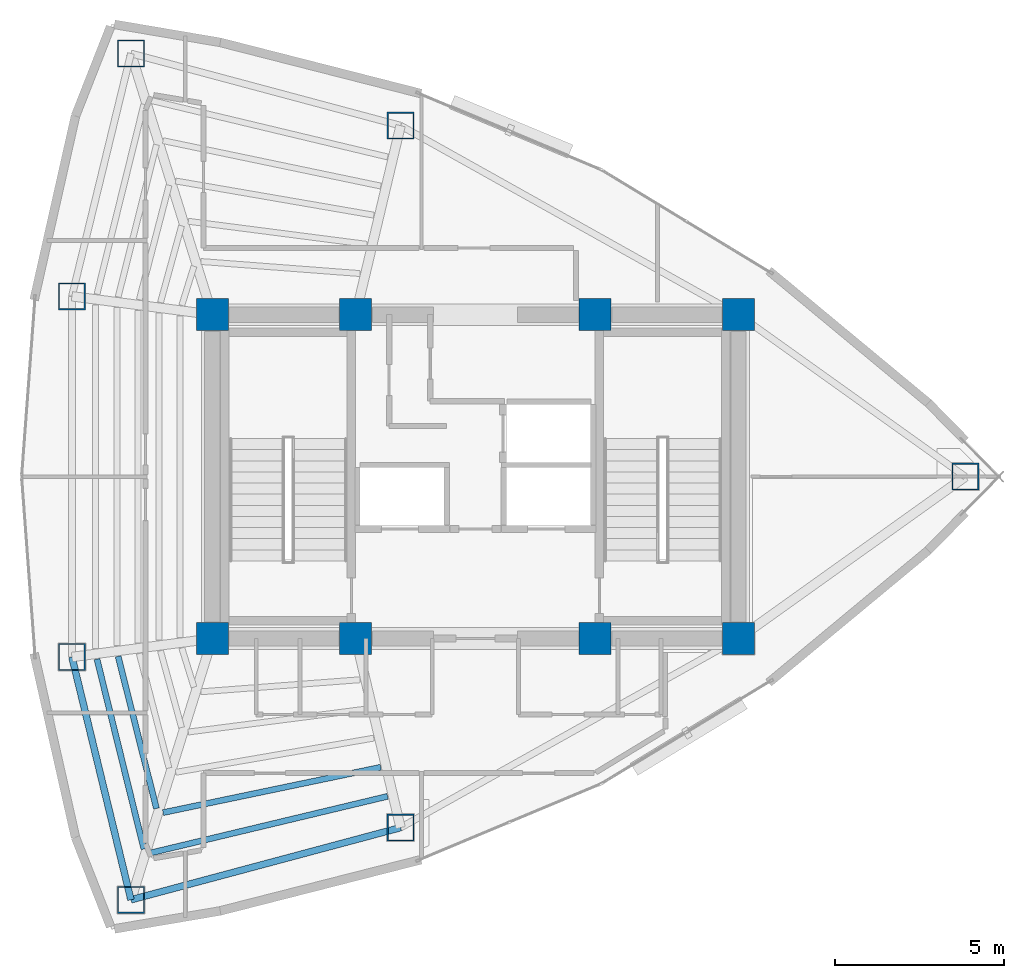
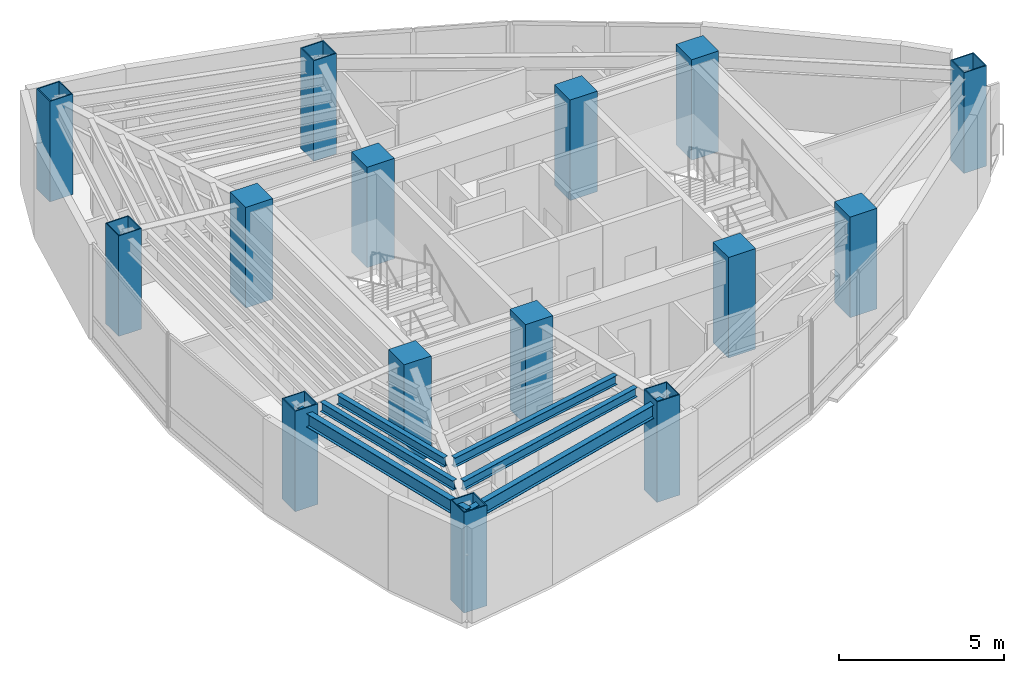
# One storey, part 1 of 15: 15 columns, 6 beams.
"""IFC4 building model written with IfcOpenShell, lengths in metres."""

from ifc_helpers import new_model, si_unit, direction, frame, origin, origin_2d, place, context, subcontext, project, spatial, rectangle, hollow_rectangle, i_section, extrude, material, material_profile, profile_set, type_object, element, save


model = new_model("IFC4")

# Units and contexts
model_context = context("Model", 3, precision=1e-05, world=origin(), true_north=direction((0.0, 1.0)))
body_context = subcontext(model_context, "Body", "Model", "MODEL_VIEW")
ifc_project = project(units=[si_unit("LENGTHUNIT", "METRE"), si_unit("AREAUNIT", "SQUARE_METRE"), si_unit("VOLUMEUNIT", "CUBIC_METRE"), si_unit("PLANEANGLEUNIT", "RADIAN"), si_unit("MASSUNIT", "GRAM", prefix="KILO")], contexts=[model_context])

# Site, building, storey
site_placement = place(None, origin())
site = spatial("IfcSite", under=ifc_project, at=site_placement, CompositionType="ELEMENT")
building_placement = place(site_placement, origin())
building = spatial("IfcBuilding", under=site, at=building_placement, Name="Menara Vayukalpa", CompositionType="ELEMENT")
storey_placement = place(building_placement, frame((0.0, 0.0, 291.780029296875)))
storey = spatial("IfcBuildingStorey", under=building, at=storey_placement, Name="L74", CompositionType="ELEMENT", Elevation=291.780029296875)

# Columns
ifc_material_1 = material(Name="Concrete C60/75", Category="concrete")
ifc_material_profile_1 = material_profile(ifc_material_1, rectangle(XDim=0.949951171875, YDim=0.949951171875, at=origin_2d()), Name="RC 950x950")
ifc_profile_set_1 = profile_set([ifc_material_profile_1], Name="Concrete C60/75")
column_type_1 = type_object("IfcColumnType", Name="COL-CC2", PredefinedType="COLUMN", material=ifc_profile_set_1)
for number, where, z_axis, x_axis, name in (
    (1, (17.800048828125, 17.199951171875, 0.0), (0.0, 0.0, 1.0), (1.0, 0.0, 0.0), "L74 Core Pilaster Column CC1"),
    (2, (22.050048828125, 17.199951171875, 0.0), (0.0, 0.0, 1.0), (1.0, 0.0, 0.0), "L74 Core Pilaster Column CC2"),
    (3, (29.14990234375, 17.199951171875, 0.0), (0.0, 0.0, 1.0), (1.0, 0.0, 0.0), "L74 Core Pilaster Column CC3"),
    (4, (33.39990234375, 17.199951171875, 0.0), (0.0, 0.0, 1.0), (1.0, 0.0, 0.0), "L74 Core Pilaster Column CC4"),
    (5, (17.800048828125, 26.800048828125, 0.0), (0.0, 0.0, 1.0), (1.0, 0.0, 0.0), "L74 Core Pilaster Column CC5"),
    (6, (22.050048828125, 26.800048828125, 0.0), (0.0, 0.0, 1.0), (1.0, 0.0, 0.0), "L74 Core Pilaster Column CC6"),
    (7, (29.14990234375, 26.800048828125, 0.0), (0.0, 0.0, 1.0), (1.0, 0.0, 0.0), "L74 Core Pilaster Column CC7"),
    (8, (33.39990234375, 26.800048828125, 0.0), (0.0, 0.0, 1.0), (1.0, 0.0, 0.0), "L74 Core Pilaster Column CC8"),
):
    element("IfcColumn", number, at=place(storey_placement, frame(where, z_axis=z_axis, x_axis=x_axis)), inside=storey, type_object=column_type_1, Name=name, PredefinedType="COLUMN", context=body_context, shape_type="SweptSolid", body=[
        extrude(rectangle(XDim=0.949951171875, YDim=0.949951171875, at=origin_2d()), origin(), (0.0, 0.0, 1.0), 3.719970703125),
    ])
ifc_material_2 = material(Name="Steel S355", Category="steel")
ifc_material_profile_2 = material_profile(ifc_material_2, hollow_rectangle(XDim=0.800048828125, YDim=0.800048828125, WallThickness=0.034912109375, at=origin_2d()), Name="BOX 800x800x35")
ifc_profile_set_2 = profile_set([ifc_material_profile_2], Name="Steel S355")
column_type_2 = type_object("IfcColumnType", Name="COL-MC5", PredefinedType="COLUMN", material=ifc_profile_set_2)
for number, where, z_axis, x_axis, name in (
    (9, (40.121826171875, 22.0, 0.0), (0.0, 0.0, 1.0), (1.0, 0.0, 0.0), "L74 Perimeter Mega Column P01"),
    (10, (23.3818359375, 32.40478515625, 0.0), (0.0, 0.0, 1.0), (1.0, 0.0, 0.0), "L74 Perimeter Mega Column P03"),
    (11, (15.38916015625, 34.544677734375, 0.0), (0.0, 0.0, 1.0), (1.0, 0.0, 0.0), "L74 Perimeter Mega Column P04"),
    (12, (13.638916015625, 27.3466796875, 0.0), (0.0, 0.0, 1.0), (1.0, 0.0, 0.0), "L74 Perimeter Mega Column P05"),
    (13, (13.638916015625, 16.6533203125, 0.0), (0.0, 0.0, 1.0), (1.0, 0.0, 0.0), "L74 Perimeter Mega Column P06"),
    (14, (15.38916015625, 9.455322265625, 0.0), (0.0, 0.0, 1.0), (1.0, 0.0, 0.0), "L74 Perimeter Mega Column P07"),
    (15, (23.3818359375, 11.59521484375, 0.0), (0.0, 0.0, 1.0), (1.0, 0.0, 0.0), "L74 Perimeter Mega Column P08"),
):
    element("IfcColumn", number, at=place(storey_placement, frame(where, z_axis=z_axis, x_axis=x_axis)), inside=storey, type_object=column_type_2, Name=name, PredefinedType="COLUMN", context=body_context, shape_type="SweptSolid", body=[
        extrude(hollow_rectangle(XDim=0.800048828125, YDim=0.800048828125, WallThickness=0.034912109375, at=origin_2d()), origin(), (0.0, 0.0, 1.0), 3.719970703125),
    ])

# Beams
ifc_material_3 = material(Name="Steel S355", Category="steel")
ifc_material_profile_3 = material_profile(ifc_material_3, i_section(OverallWidth=0.175048828125, OverallDepth=0.35009765625, WebThickness=0.007080078125, FlangeThickness=0.010986328125, at=origin_2d()), Name="WF 350x175x7x11")
ifc_profile_set_3 = profile_set([ifc_material_profile_3], Name="Steel S355")
beam_type_1 = type_object("IfcBeamType", Name="BM-SJ3", PredefinedType="JOIST", material=ifc_profile_set_3)
beam_1_placement = place(storey_placement, frame((15.008544921875, 16.6728515625, 3.324951171875), z_axis=(0.244239657645, -0.969714901212, 0.0), x_axis=(0.969714901212, 0.244239657645, 0.0)))
element("IfcBeam", 16, at=beam_1_placement, inside=storey, type_object=beam_type_1, Name="L74 Secondary Floor Joist SJ06-4", PredefinedType="JOIST", context=body_context, shape_type="SweptSolid", body=[
    extrude(i_section(OverallWidth=0.175048828125, OverallDepth=0.35009765625, WebThickness=0.007080078125, FlangeThickness=0.010986328125, at=origin_2d()), origin(), (0.0, 0.0, 1.0), 4.651123046875),
])
beam_2_placement = place(storey_placement, frame((14.381591796875, 16.590576171875, 3.324951171875), z_axis=(0.239690910211, -0.970849250688, 0.0), x_axis=(0.970849250688, 0.239690910211, 0.0)))
element("IfcBeam", 17, at=beam_2_placement, inside=storey, type_object=beam_type_1, Name="L74 Secondary Floor Joist SJ06-5", PredefinedType="JOIST", context=body_context, shape_type="SweptSolid", body=[
    extrude(i_section(OverallWidth=0.175048828125, OverallDepth=0.35009765625, WebThickness=0.007080078125, FlangeThickness=0.010986328125, at=origin_2d()), origin(), (0.0, 0.0, 1.0), 5.797607421875),
])
beam_3_placement = place(storey_placement, frame((16.340087890625, 12.0400390625, 3.324951171875), z_axis=(0.978940645958, 0.204145075108, 0.0), x_axis=(-0.204145075108, 0.978940645958, 0.0)))
element("IfcBeam", 18, at=beam_3_placement, inside=storey, type_object=beam_type_1, Name="L74 Secondary Floor Joist SJ07-4", PredefinedType="JOIST", context=body_context, shape_type="SweptSolid", body=[
    extrude(i_section(OverallWidth=0.175048828125, OverallDepth=0.35009765625, WebThickness=0.007080078125, FlangeThickness=0.010986328125, at=origin_2d()), origin(), (0.0, 0.0, 1.0), 6.5908203125),
])
beam_4_placement = place(storey_placement, frame((15.96533203125, 10.843505859375, 3.324951171875), z_axis=(0.972633830791, 0.232343347656, 0.0), x_axis=(-0.232343347656, 0.972633830791, 0.0)))
element("IfcBeam", 19, at=beam_4_placement, inside=storey, type_object=beam_type_1, Name="L74 Secondary Floor Joist SJ07-5", PredefinedType="JOIST", context=body_context, shape_type="SweptSolid", body=[
    extrude(i_section(OverallWidth=0.175048828125, OverallDepth=0.35009765625, WebThickness=0.007080078125, FlangeThickness=0.010986328125, at=origin_2d()), origin(), (0.0, 0.0, 1.0), 7.229248046875),
])
ifc_material_4 = material(Name="Steel S355", Category="steel")
ifc_material_profile_4 = material_profile(ifc_material_4, i_section(OverallWidth=0.199951171875, OverallDepth=0.5, WebThickness=0.010009765625, FlangeThickness=0.01611328125, at=origin_2d()), Name="WF 500x200x10x16")
ifc_profile_set_4 = profile_set([ifc_material_profile_4], Name="Steel S355")
beam_type_2 = type_object("IfcBeamType", Name="BM-SP3", PredefinedType="SPANDREL", material=ifc_profile_set_4)
beam_5_placement = place(storey_placement, frame((13.638916015625, 16.6533203125, 3.25), z_axis=(0.236272525754, -0.97168682896, 0.0), x_axis=(0.97168682896, 0.236272525754, 0.0)))
element("IfcBeam", 20, at=beam_5_placement, inside=storey, type_object=beam_type_2, Name="L74 Perimeter Spandrel Beam SP06", PredefinedType="SPANDREL", context=body_context, shape_type="SweptSolid", body=[
    extrude(i_section(OverallWidth=0.199951171875, OverallDepth=0.5, WebThickness=0.010009765625, FlangeThickness=0.01611328125, at=origin_2d()), origin(), (0.0, 0.0, 1.0), 7.40771484375),
])
beam_6_placement = place(storey_placement, frame((15.38916015625, 9.455322265625, 3.25), z_axis=(0.965978332552, 0.258623009494, 0.0), x_axis=(-0.258623009494, 0.965978332552, 0.0)))
element("IfcBeam", 21, at=beam_6_placement, inside=storey, type_object=beam_type_2, Name="L74 Perimeter Spandrel Beam SP07", PredefinedType="SPANDREL", context=body_context, shape_type="SweptSolid", body=[
    extrude(i_section(OverallWidth=0.199951171875, OverallDepth=0.5, WebThickness=0.010009765625, FlangeThickness=0.01611328125, at=origin_2d()), origin(), (0.0, 0.0, 1.0), 8.274169921875),
])

save(model, "model.ifc")
